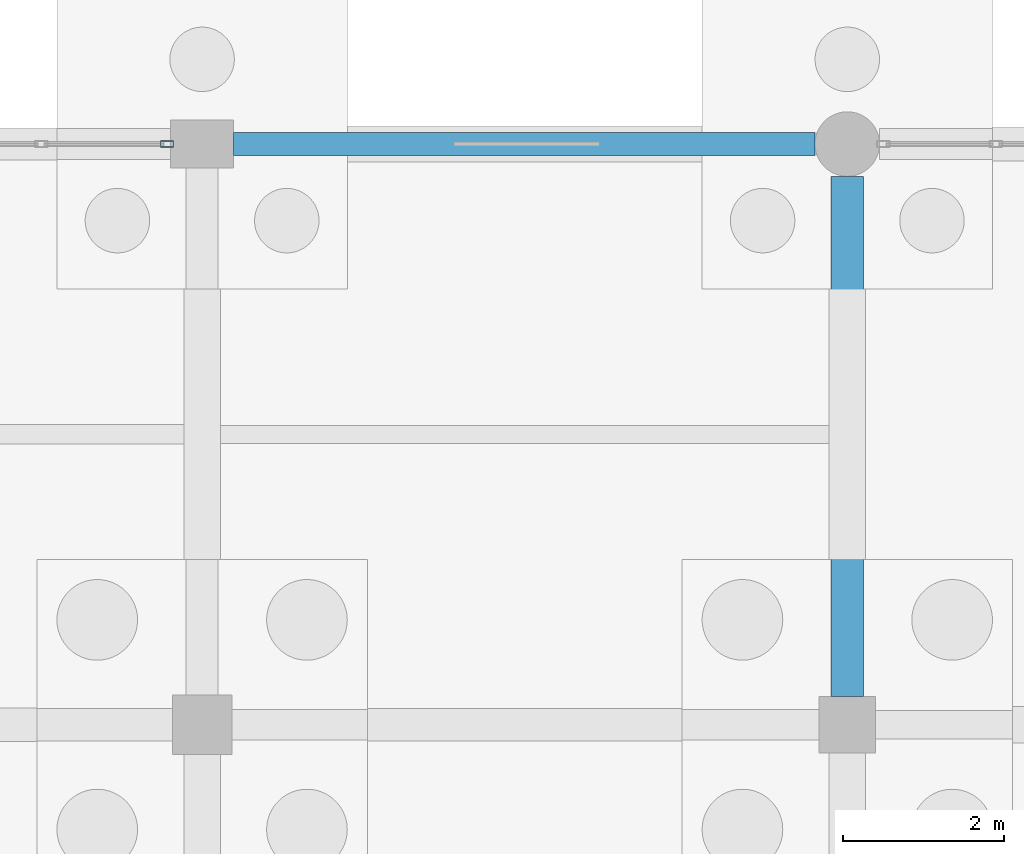
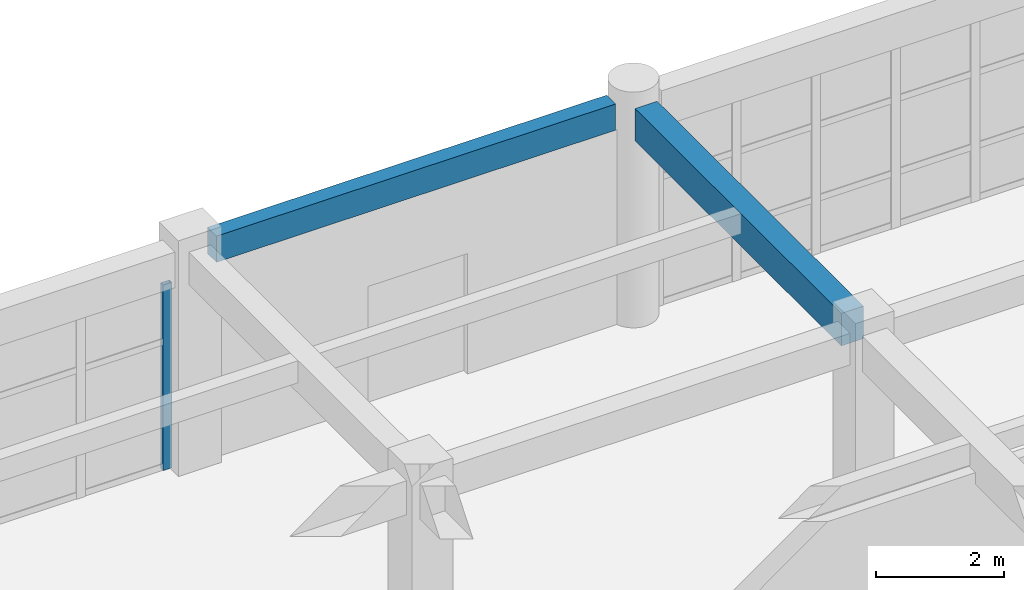
# One storey, part 98 of 166: 2 beams, 1 member, 1 element without a shape of its own.
"""IFC4 building model written with IfcOpenShell, lengths in metres."""

from ifc_helpers import new_model, si_unit, direction, frame, origin, origin_2d, place, context, subcontext, project, spatial, rectangle, hollow_rectangle, extrude, material, material_profile, profile_set, type_object, element, aggregate, save


model = new_model("IFC4")

# Units and contexts
model_context = context("Model", 3, precision=1e-05, world=origin(), true_north=direction((0.0, 1.0)))
body_context = subcontext(model_context, "Body", "Model", "MODEL_VIEW")
ifc_project = project(units=[si_unit("LENGTHUNIT", "METRE"), si_unit("AREAUNIT", "SQUARE_METRE"), si_unit("VOLUMEUNIT", "CUBIC_METRE"), si_unit("PLANEANGLEUNIT", "RADIAN"), si_unit("MASSUNIT", "GRAM", prefix="KILO")], contexts=[model_context])

# Site, building, storey
site_placement = place(None, origin())
site = spatial("IfcSite", under=ifc_project, at=site_placement, CompositionType="ELEMENT")
building_placement = place(site_placement, origin())
building = spatial("IfcBuilding", under=site, at=building_placement, Name="Kharva Crest Polytechnic", CompositionType="ELEMENT")
storey_placement = place(building_placement, origin())
storey = spatial("IfcBuildingStorey", under=building, at=storey_placement, Name="L00", CompositionType="ELEMENT", Elevation=0.0)

# Beam
ifc_material_1 = material(Name="Concrete C35/45", Category="concrete")
ifc_material_profile_1 = material_profile(ifc_material_1, rectangle(XDim=0.39990234375, YDim=0.6201171875, at=origin_2d()), Name="RECT 400 X 620")
ifc_profile_set_1 = profile_set([ifc_material_profile_1], Name="Concrete C35/45")
beam_type_1 = type_object("IfcBeamType", Name="BM-RC-400X620", PredefinedType="BEAM", material=ifc_profile_set_1)
beam_1_placement = place(storey_placement, frame((136.800048828125, 115.14990234375, 3.909912109375), z_axis=(0.0, 1.0, 0.0), x_axis=(-1.0, 0.0, 0.0)))
element("IfcBeam", 1, at=beam_1_placement, inside=storey, type_object=beam_type_1, Name="L00 Girder 18/R-S", PredefinedType="BEAM", context=body_context, shape_type="SweptSolid", body=[
    extrude(rectangle(XDim=0.39990234375, YDim=0.6201171875, at=origin_2d()), origin(), (0.0, 0.0, 1.0), 6.4501953125),
])

# Curtain wall, member
ifc_material_2 = material(Name="Tempered insulated glass", Category="glass")
curtain_wall_type = type_object("IfcCurtainWallType", Name="CW-SYS-COURT", PredefinedType="USERDEFINED", material=ifc_material_2)
curtain_wall_placement = place(storey_placement, origin())
curtain_wall = element("IfcCurtainWall", 2, at=curtain_wall_placement, inside=storey, type_object=curtain_wall_type, Name="L00 Glazed Curtain Wall CW-024", ObjectType="CURTAIN WALL", PredefinedType="USERDEFINED")
ifc_material_3 = material(Name="Steel S355", Category="steel")
ifc_material_profile_2 = material_profile(ifc_material_3, hollow_rectangle(XDim=0.080078125, YDim=0.159912109375, WallThickness=0.0048828125, at=origin_2d()), Name="RHS 160X80X5.0")
ifc_profile_set_2 = profile_set([ifc_material_profile_2], Name="Steel S355")
member_type = type_object("IfcMemberType", Name="CWM-RHS160X80", PredefinedType="MULLION", material=ifc_profile_set_2)
member_placement = place(storey_placement, frame((128.364990234375, 122.0, 0.0), z_axis=(0.0, 0.0, 1.0), x_axis=(0.0, -1.0, 0.0)))
member = element("IfcMember", 3, at=member_placement, type_object=member_type, Name="CW-024 mullion 1", PredefinedType="MULLION", context=body_context, shape_type="SweptSolid", body=[
    extrude(hollow_rectangle(XDim=0.080078125, YDim=0.159912109375, WallThickness=0.0048828125, at=origin_2d()), origin(), (0.0, 0.0, 1.0), 3.5400390625),
])
aggregate(curtain_wall, [member])

# Beam
ifc_material_profile_3 = material_profile(ifc_material_1, rectangle(XDim=0.280029296875, YDim=0.5, at=origin_2d()), Name="RECT 280 X 500")
ifc_profile_set_3 = profile_set([ifc_material_profile_3], Name="Concrete C35/45")
beam_type_2 = type_object("IfcBeamType", Name="SP-RC-280X500", PredefinedType="SPANDREL", material=ifc_profile_set_3)
beam_2_placement = place(storey_placement, frame((129.18994140625, 122.0, 3.969970703125), z_axis=(1.0, 0.0, 0.0), x_axis=(0.0, 1.0, 0.0)))
element("IfcBeam", 4, at=beam_2_placement, inside=storey, type_object=beam_type_2, Name="L00 Beam S/17-18", PredefinedType="SPANDREL", context=body_context, shape_type="SweptSolid", body=[
    extrude(rectangle(XDim=0.280029296875, YDim=0.5, at=origin_2d()), origin(), (0.0, 0.0, 1.0), 7.2099609375),
])

save(model, "model.ifc")
